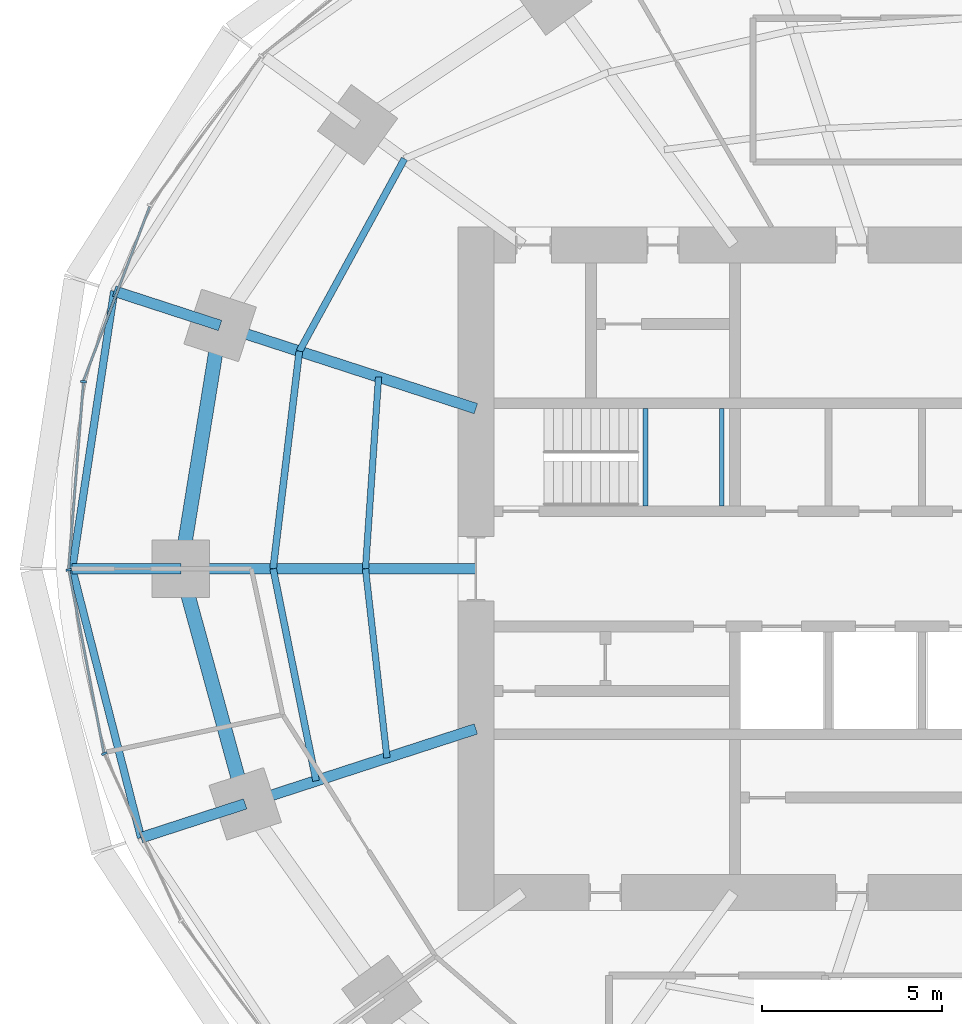
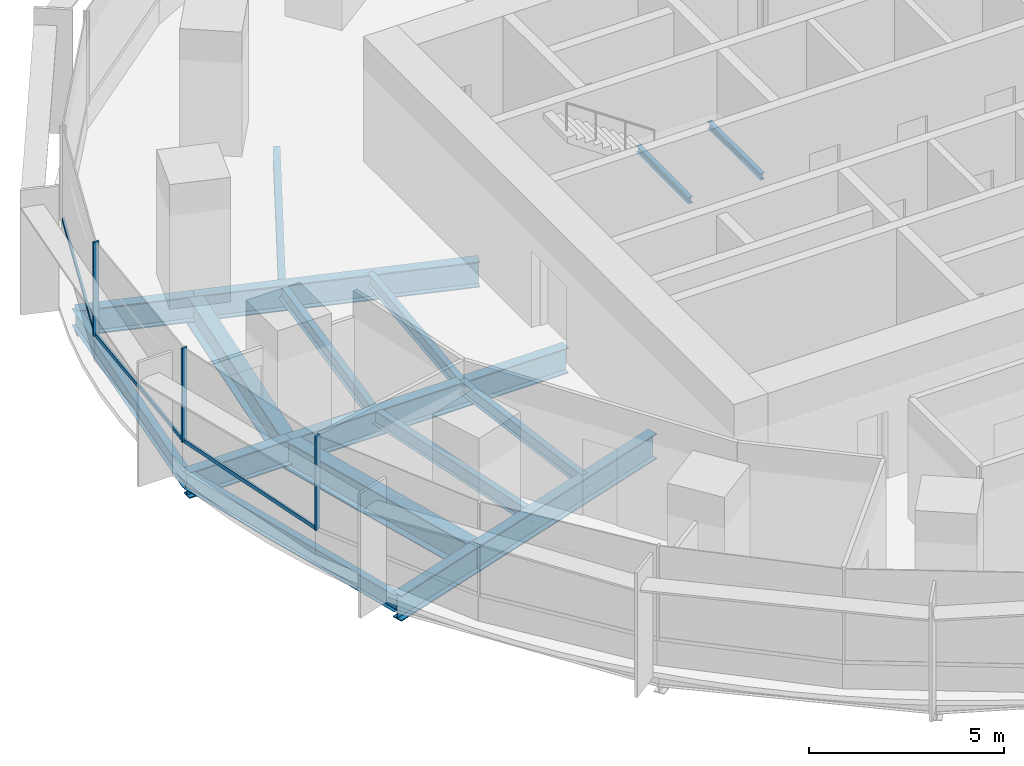
# One storey, part 4 of 14: 17 beams, 6 members, 2 elements without a shape of their own.
"""IFC4 building model written with IfcOpenShell, lengths in metres."""

from ifc_helpers import new_model, si_unit, direction, frame, origin, origin_2d, place, context, subcontext, project, spatial, rectangle, i_section, extrude, material, material_profile, profile_set, type_object, element, aggregate, save


model = new_model("IFC4")

# Units and contexts
model_context = context("Model", 3, precision=1e-05, world=origin(), true_north=direction((0.0, 1.0)))
body_context = subcontext(model_context, "Body", "Model", "MODEL_VIEW")
ifc_project = project(units=[si_unit("LENGTHUNIT", "METRE"), si_unit("AREAUNIT", "SQUARE_METRE"), si_unit("VOLUMEUNIT", "CUBIC_METRE"), si_unit("PLANEANGLEUNIT", "RADIAN"), si_unit("MASSUNIT", "GRAM", prefix="KILO")], contexts=[model_context])

# Site, building, storey
site_placement = place(None, origin())
site = spatial("IfcSite", under=ifc_project, at=site_placement, CompositionType="ELEMENT")
building_placement = place(site_placement, origin())
building = spatial("IfcBuilding", under=site, at=building_placement, Name="Marramba Exchange Tower", CompositionType="ELEMENT")
storey_placement = place(building_placement, frame((0.0, 0.0, 104.10009765625)))
storey = spatial("IfcBuildingStorey", under=building, at=storey_placement, Name="L24", CompositionType="ELEMENT", Elevation=104.10009765625)

# Beams
ifc_material_1 = material(Name="Steel AS/NZS 3679.2 grade 300", Category="steel")
ifc_material_profile_1 = material_profile(ifc_material_1, i_section(OverallWidth=0.300048828125, OverallDepth=0.800048828125, WebThickness=0.013916015625, FlangeThickness=0.031982421875, at=origin_2d()), Name="800WB192")
ifc_profile_set_1 = profile_set([ifc_material_profile_1], Name="Steel AS/NZS 3679.2 grade 300")
beam_type_1 = type_object("IfcBeamType", Name="Cantilever girder 800WB192", PredefinedType="BEAM", material=ifc_profile_set_1)
beam_1_placement = place(storey_placement, frame((-20.808349609375, 6.760986328125, -0.56005859375), z_axis=(-0.95104799017, 0.309043233858, 0.0), x_axis=(-0.309043233858, -0.95104799017, 0.0)))
element("IfcBeam", 1, at=beam_1_placement, inside=storey, type_object=beam_type_1, Name="Cantilever girder L24 TC10", PredefinedType="BEAM", context=body_context, shape_type="SweptSolid", body=[
    extrude(i_section(OverallWidth=0.300048828125, OverallDepth=0.800048828125, WebThickness=0.013916015625, FlangeThickness=0.031982421875, at=origin_2d()), origin(), (0.0, 0.0, 1.0), 3.0927734375),
])
beam_2_placement = place(storey_placement, frame((-21.89990234375, 0.0, -0.56005859375), z_axis=(-1.0, 0.0, 0.0), x_axis=(0.0, -1.0, 0.0)))
element("IfcBeam", 2, at=beam_2_placement, inside=storey, type_object=beam_type_1, Name="Cantilever girder L24 TC11", PredefinedType="BEAM", context=body_context, shape_type="SweptSolid", body=[
    extrude(i_section(OverallWidth=0.300048828125, OverallDepth=0.800048828125, WebThickness=0.013916015625, FlangeThickness=0.031982421875, at=origin_2d()), origin(), (0.0, 0.0, 1.0), 3.01806640625),
])
beam_3_placement = place(storey_placement, frame((-20.109375, -6.533935546875, -0.56005859375), z_axis=(-0.951070617775, -0.308973591113, 0.0), x_axis=(0.308973591113, -0.951070617775, 0.0)))
element("IfcBeam", 3, at=beam_3_placement, inside=storey, type_object=beam_type_1, Name="Cantilever girder L24 TC12", PredefinedType="BEAM", context=body_context, shape_type="SweptSolid", body=[
    extrude(i_section(OverallWidth=0.300048828125, OverallDepth=0.800048828125, WebThickness=0.013916015625, FlangeThickness=0.031982421875, at=origin_2d()), origin(), (0.0, 0.0, 1.0), 3.04296875),
])
ifc_material_2 = material(Name="Steel AS/NZS 3679.1 grade 300", Category="steel")
ifc_material_profile_2 = material_profile(ifc_material_2, i_section(OverallWidth=0.177978515625, OverallDepth=0.406005859375, WebThickness=0.0078125, FlangeThickness=0.0126953125, FilletRadius=0.011474609375, at=origin_2d()), Name="410UB59.7")
ifc_profile_set_2 = profile_set([ifc_material_profile_2], Name="Steel AS/NZS 3679.1 grade 300")
beam_type_2 = type_object("IfcBeamType", Name="Floor joist 410UB59.7", PredefinedType="JOIST", material=ifc_profile_set_2)
beam_4_placement = place(storey_placement, frame((-16.40283203125, 5.32958984375, -0.363037109375), z_axis=(-0.068096259546, -0.99767875563, 0.0), x_axis=(0.99767875563, -0.068096259546, 0.0)))
element("IfcBeam", 4, at=beam_4_placement, inside=storey, type_object=beam_type_2, Name="Joist L24 bay 10 row 1", PredefinedType="JOIST", context=body_context, shape_type="SweptSolid", body=[
    extrude(i_section(OverallWidth=0.177978515625, OverallDepth=0.406005859375, WebThickness=0.0078125, FlangeThickness=0.0126953125, FilletRadius=0.011474609375, at=origin_2d()), origin(), (0.0, 0.0, 1.0), 5.342041015625),
])
beam_5_placement = place(storey_placement, frame((-16.7666015625, 0.0, -0.363037109375), z_axis=(0.112888968594, -0.993607609054, 0.0), x_axis=(0.993607609054, 0.112888968594, 0.0)))
element("IfcBeam", 5, at=beam_5_placement, inside=storey, type_object=beam_type_2, Name="Joist L24 bay 11 row 1", PredefinedType="JOIST", context=body_context, shape_type="SweptSolid", body=[
    extrude(i_section(OverallWidth=0.177978515625, OverallDepth=0.406005859375, WebThickness=0.0078125, FlangeThickness=0.0126953125, FilletRadius=0.011474609375, at=origin_2d()), origin(), (0.0, 0.0, 1.0), 5.28759765625),
])
ifc_material_profile_3 = material_profile(ifc_material_2, i_section(OverallWidth=0.18994140625, OverallDepth=0.4541015625, WebThickness=0.008544921875, FlangeThickness=0.0126953125, FilletRadius=0.011474609375, at=origin_2d()), Name="460UB67.1")
ifc_profile_set_3 = profile_set([ifc_material_profile_3], Name="Steel AS/NZS 3679.1 grade 300")
beam_type_3 = type_object("IfcBeamType", Name="Floor joist 460UB67.1", PredefinedType="JOIST", material=ifc_profile_set_3)
beam_6_placement = place(storey_placement, frame((-15.682373046875, 11.393798828125, -0.38720703125), z_axis=(-0.479584443791, -0.877495732909, 0.0), x_axis=(0.877495732909, -0.479584443791, 0.0)))
element("IfcBeam", 6, at=beam_6_placement, inside=storey, type_object=beam_type_3, Name="Joist L24 bay 09 row 2", PredefinedType="JOIST", context=body_context, shape_type="SweptSolid", body=[
    extrude(i_section(OverallWidth=0.18994140625, OverallDepth=0.4541015625, WebThickness=0.008544921875, FlangeThickness=0.0126953125, FilletRadius=0.011474609375, at=origin_2d()), origin(), (0.0, 0.0, 1.0), 6.094970703125),
])
beam_7_placement = place(storey_placement, frame((-18.60546875, 6.04541015625, -0.38720703125), z_axis=(-0.119523078538, -0.992831422597, 0.0), x_axis=(0.992831422597, -0.119523078538, 0.0)))
element("IfcBeam", 7, at=beam_7_placement, inside=storey, type_object=beam_type_3, Name="Joist L24 bay 10 row 2", PredefinedType="JOIST", context=body_context, shape_type="SweptSolid", body=[
    extrude(i_section(OverallWidth=0.18994140625, OverallDepth=0.4541015625, WebThickness=0.008544921875, FlangeThickness=0.0126953125, FilletRadius=0.011474609375, at=origin_2d()), origin(), (0.0, 0.0, 1.0), 6.089111328125),
])
beam_8_placement = place(storey_placement, frame((-19.333251953125, 0.0, -0.38720703125), z_axis=(0.198489047047, -0.980103105904, 0.0), x_axis=(0.980103105904, 0.198489047047, 0.0)))
element("IfcBeam", 8, at=beam_8_placement, inside=storey, type_object=beam_type_3, Name="Joist L24 bay 11 row 2", PredefinedType="JOIST", context=body_context, shape_type="SweptSolid", body=[
    extrude(i_section(OverallWidth=0.18994140625, OverallDepth=0.4541015625, WebThickness=0.008544921875, FlangeThickness=0.0126953125, FilletRadius=0.011474609375, at=origin_2d()), origin(), (0.0, 0.0, 1.0), 6.013427734375),
])

# Curtain wall, member
ifc_material_3 = material(Name="Aluminium framing, bronze anodised", Category="aluminium")
curtain_wall_type = type_object("IfcCurtainWallType", Name="Office ribbon curtain wall", PredefinedType="USERDEFINED", material=ifc_material_3)
curtain_wall_1_placement = place(storey_placement, origin())
curtain_wall_1 = element("IfcCurtainWall", 9, at=curtain_wall_1_placement, inside=storey, type_object=curtain_wall_type, Name="Curtain wall CW4 L24 F11-F15", ObjectType="RIBBON CURTAIN WALL", PredefinedType="USERDEFINED")
ifc_material_4 = material(Name="Aluminium mullion, bronze anodised", Category="aluminium")
ifc_material_profile_4 = material_profile(ifc_material_4, rectangle(XDim=0.159912109375, YDim=0.06005859375, at=origin_2d()), Name="CW4 mullion 60x160")
ifc_profile_set_4 = profile_set([ifc_material_profile_4], Name="Aluminium mullion, bronze anodised")
member_type_1 = type_object("IfcMemberType", Name="Office ribbon curtain wall mullion", PredefinedType="MULLION", material=ifc_profile_set_4)
member_1_placement = place(storey_placement, frame((-24.603515625, 5.19921875, 0.7998046875), z_axis=(0.0, 0.0, 1.0), x_axis=(0.996838079455, -0.079459696383, 0.0)))
member_1 = element("IfcMember", 10, at=member_1_placement, type_object=member_type_1, Name="CW4 mullion 1", PredefinedType="MULLION", context=body_context, shape_type="SweptSolid", body=[
    extrude(rectangle(XDim=0.159912109375, YDim=0.06005859375, at=origin_2d()), origin(), (0.0, 0.0, 1.0), 2.940185546875),
])

# Curtain wall, members
curtain_wall_2_placement = place(storey_placement, origin())
curtain_wall_2 = element("IfcCurtainWall", 11, at=curtain_wall_2_placement, inside=storey, type_object=curtain_wall_type, Name="Curtain wall CW4 L24 F16-F20", ObjectType="RIBBON CURTAIN WALL", PredefinedType="USERDEFINED")
member_2_placement = place(storey_placement, frame((-25.012451171875, -0.029541015625, 0.7998046875), z_axis=(0.0, 0.0, 1.0), x_axis=(0.982125509078, 0.18822721487, 0.0)))
member_2 = element("IfcMember", 12, at=member_2_placement, type_object=member_type_1, Name="CW4 mullion 1", PredefinedType="MULLION", context=body_context, shape_type="SweptSolid", body=[
    extrude(rectangle(XDim=0.159912109375, YDim=0.06005859375, at=origin_2d()), origin(), (0.0, 0.0, 1.0), 2.940185546875),
])
member_3_placement = place(storey_placement, frame((-24.026123046875, -5.136962890625, 0.7998046875), z_axis=(0.0, 0.0, 1.0), x_axis=(0.909026713177, 0.416737848929, 0.0)))
member_3 = element("IfcMember", 13, at=member_3_placement, type_object=member_type_1, Name="CW4 mullion 1", PredefinedType="MULLION", context=body_context, shape_type="SweptSolid", body=[
    extrude(rectangle(XDim=0.159912109375, YDim=0.06005859375, at=origin_2d()), origin(), (0.0, 0.0, 1.0), 2.940185546875),
])

# Member
ifc_material_5 = material(Name="Aluminium transom, bronze anodised", Category="aluminium")
ifc_material_profile_5 = material_profile(ifc_material_5, rectangle(XDim=0.06005859375, YDim=0.1201171875, at=origin_2d()), Name="CW4 transom 60x120")
ifc_profile_set_5 = profile_set([ifc_material_profile_5], Name="Aluminium transom, bronze anodised")
member_type_2 = type_object("IfcMemberType", Name="Office ribbon curtain wall transom", PredefinedType="USERDEFINED", material=ifc_profile_set_5)
member_4_placement = place(storey_placement, frame((-22.763916015625, 10.069580078125, 0.829833984375), z_axis=(-0.354851822252, -0.934922555212, 0.0), x_axis=(0.934922555212, -0.354851822252, 0.0)))
member_4 = element("IfcMember", 14, at=member_4_placement, type_object=member_type_2, Name="CW4 sill transom", ObjectType="TRANSOM", PredefinedType="USERDEFINED", context=body_context, shape_type="SweptSolid", body=[
    extrude(rectangle(XDim=0.06005859375, YDim=0.1201171875, at=origin_2d()), origin(), (0.0, 0.0, 1.0), 5.17724609375),
])

member_5_placement = place(storey_placement, frame((-24.60595703125, 5.16943359375, 0.829833984375), z_axis=(-0.07946828762, -0.996837394595, 0.0), x_axis=(0.996837394595, -0.07946828762, 0.0)))
member_5 = element("IfcMember", 15, at=member_5_placement, type_object=member_type_2, Name="CW4 sill transom", ObjectType="TRANSOM", PredefinedType="USERDEFINED", context=body_context, shape_type="SweptSolid", body=[
    extrude(rectangle(XDim=0.06005859375, YDim=0.1201171875, at=origin_2d()), origin(), (0.0, 0.0, 1.0), 5.185791015625),
])

aggregate(curtain_wall_1, [member_4, member_1, member_5])

member_6_placement = place(storey_placement, frame((-25.006591796875, -0.058837890625, 0.829833984375), z_axis=(0.188185293992, -0.982133542409, 0.0), x_axis=(0.982133542409, 0.188185293992, 0.0)))
member_6 = element("IfcMember", 16, at=member_6_placement, type_object=member_type_2, Name="CW4 sill transom", ObjectType="TRANSOM", PredefinedType="USERDEFINED", context=body_context, shape_type="SweptSolid", body=[
    extrude(rectangle(XDim=0.06005859375, YDim=0.1201171875, at=origin_2d()), origin(), (0.0, 0.0, 1.0), 5.142578125),
])

aggregate(curtain_wall_2, [member_2, member_6, member_3])

# Beams
ifc_material_profile_6 = material_profile(ifc_material_1, i_section(OverallWidth=0.300048828125, OverallDepth=0.800048828125, WebThickness=0.013916015625, FlangeThickness=0.031982421875, at=origin_2d()), Name="800WB192")
ifc_profile_set_6 = profile_set([ifc_material_profile_6], Name="Steel AS/NZS 3679.2 grade 300")
beam_type_4 = type_object("IfcBeamType", Name="Radial girder 800WB192", PredefinedType="BEAM", material=ifc_profile_set_6)
beam_9_placement = place(storey_placement, frame((-13.699951171875, 4.451416015625, -0.56005859375), z_axis=(-0.951059990189, 0.309006302624, 0.0), x_axis=(-0.309006302624, -0.951059990189, 0.0)))
element("IfcBeam", 17, at=beam_9_placement, inside=storey, type_object=beam_type_4, Name="Radial girder L24 TC10", PredefinedType="BEAM", context=body_context, shape_type="SweptSolid", body=[
    extrude(i_section(OverallWidth=0.300048828125, OverallDepth=0.800048828125, WebThickness=0.013916015625, FlangeThickness=0.031982421875, at=origin_2d()), origin(), (0.0, 0.0, 1.0), 7.47412109375),
])
beam_10_placement = place(storey_placement, frame((-13.699951171875, 0.0, -0.56005859375), z_axis=(-1.0, 0.0, 0.0), x_axis=(0.0, -1.0, 0.0)))
element("IfcBeam", 18, at=beam_10_placement, inside=storey, type_object=beam_type_4, Name="Radial girder L24 TC11", PredefinedType="BEAM", context=body_context, shape_type="SweptSolid", body=[
    extrude(i_section(OverallWidth=0.300048828125, OverallDepth=0.800048828125, WebThickness=0.013916015625, FlangeThickness=0.031982421875, at=origin_2d()), origin(), (0.0, 0.0, 1.0), 8.199951171875),
])
beam_11_placement = place(storey_placement, frame((-13.699951171875, -4.451416015625, -0.56005859375), z_axis=(-0.951057759669, -0.309013167637, 0.0), x_axis=(0.309013167637, -0.951057759669, 0.0)))
element("IfcBeam", 19, at=beam_11_placement, inside=storey, type_object=beam_type_4, Name="Radial girder L24 TC12", PredefinedType="BEAM", context=body_context, shape_type="SweptSolid", body=[
    extrude(i_section(OverallWidth=0.300048828125, OverallDepth=0.800048828125, WebThickness=0.013916015625, FlangeThickness=0.031982421875, at=origin_2d()), origin(), (0.0, 0.0, 1.0), 6.7392578125),
])
ifc_material_profile_7 = material_profile(ifc_material_1, i_section(OverallWidth=0.39990234375, OverallDepth=0.89990234375, WebThickness=0.01611328125, FlangeThickness=0.031982421875, at=origin_2d()), Name="900WB282")
ifc_profile_set_7 = profile_set([ifc_material_profile_7], Name="Steel AS/NZS 3679.2 grade 300")
beam_type_5 = type_object("IfcBeamType", Name="Ring beam 900WB282", PredefinedType="SPANDREL", material=ifc_profile_set_7)
beam_12_placement = place(storey_placement, frame((-20.808349609375, 6.760986328125, -0.610107421875), z_axis=(-0.159384865399, -0.987216523708, 0.0), x_axis=(0.987216523708, -0.159384865399, 0.0)))
element("IfcBeam", 20, at=beam_12_placement, inside=storey, type_object=beam_type_5, Name="Ring beam L24 TC10-TC11", PredefinedType="SPANDREL", context=body_context, shape_type="SweptSolid", body=[
    extrude(i_section(OverallWidth=0.39990234375, OverallDepth=0.89990234375, WebThickness=0.01611328125, FlangeThickness=0.031982421875, at=origin_2d()), origin(), (0.0, 0.0, 1.0), 6.8486328125),
])
beam_13_placement = place(storey_placement, frame((-21.89990234375, 0.0, -0.610107421875), z_axis=(0.264291166956, -0.964442937176, 0.0), x_axis=(0.964442937176, 0.264291166956, 0.0)))
element("IfcBeam", 21, at=beam_13_placement, inside=storey, type_object=beam_type_5, Name="Ring beam L24 TC11-TC12", PredefinedType="SPANDREL", context=body_context, shape_type="SweptSolid", body=[
    extrude(i_section(OverallWidth=0.39990234375, OverallDepth=0.89990234375, WebThickness=0.01611328125, FlangeThickness=0.031982421875, at=origin_2d()), origin(), (0.0, 0.0, 1.0), 6.77490234375),
])
ifc_material_profile_8 = material_profile(ifc_material_2, i_section(OverallWidth=0.208984375, OverallDepth=0.528076171875, WebThickness=0.009521484375, FlangeThickness=0.01318359375, FilletRadius=0.013916015625, at=origin_2d()), Name="530UB82.0")
ifc_profile_set_8 = profile_set([ifc_material_profile_8], Name="Steel AS/NZS 3679.1 grade 300")
beam_type_6 = type_object("IfcBeamType", Name="Slab edge beam 530UB82.0", PredefinedType="SPANDREL", material=ifc_profile_set_8)
beam_14_placement = place(storey_placement, frame((-23.749755859375, 7.716796875, -0.424072265625), z_axis=(-0.149680281727, -0.988734450326, 0.0), x_axis=(0.988734450326, -0.149680281727, 0.0)))
element("IfcBeam", 22, at=beam_14_placement, inside=storey, type_object=beam_type_6, Name="Slab edge beam L24 TC10-TC11", PredefinedType="SPANDREL", context=body_context, shape_type="SweptSolid", body=[
    extrude(i_section(OverallWidth=0.208984375, OverallDepth=0.528076171875, WebThickness=0.009521484375, FlangeThickness=0.01318359375, FilletRadius=0.013916015625, at=origin_2d()), origin(), (0.0, 0.0, 1.0), 7.8046875),
])
beam_15_placement = place(storey_placement, frame((-24.91796875, 0.0, -0.424072265625), z_axis=(0.248145427917, -0.968722791413, 0.0), x_axis=(0.968722791413, 0.248145427917, 0.0)))
element("IfcBeam", 23, at=beam_15_placement, inside=storey, type_object=beam_type_6, Name="Slab edge beam L24 TC11-TC12", PredefinedType="SPANDREL", context=body_context, shape_type="SweptSolid", body=[
    extrude(i_section(OverallWidth=0.208984375, OverallDepth=0.528076171875, WebThickness=0.009521484375, FlangeThickness=0.01318359375, FilletRadius=0.013916015625, at=origin_2d()), origin(), (0.0, 0.0, 1.0), 7.71533203125),
])
ifc_material_profile_9 = material_profile(ifc_material_2, i_section(OverallWidth=0.133056640625, OverallDepth=0.202880859375, WebThickness=0.005859375, FlangeThickness=0.0078125, FilletRadius=0.0087890625, at=origin_2d()), Name="200UB25.4")
ifc_profile_set_9 = profile_set([ifc_material_profile_9], Name="Steel AS/NZS 3679.1 grade 300")
beam_type_7 = type_object("IfcBeamType", Name="Stair landing beam 200UB25.4", PredefinedType="BEAM", material=ifc_profile_set_9)
for number, where, z_axis, x_axis, name in (
    (24, (-8.9833984375, 1.75, 1.6484375), (0.0, 1.0, 0.0), (-1.0, 0.0, 0.0), "Stair landing beam SLB1 ST1 L24 1"),
    (25, (-6.866455078125, 1.75, 1.6484375), (0.0, 1.0, 0.0), (-1.0, 0.0, 0.0), "Stair landing beam SLB1 ST1 L24 2"),
):
    element("IfcBeam", number, at=place(storey_placement, frame(where, z_axis=z_axis, x_axis=x_axis)), inside=storey, type_object=beam_type_7, Name=name, PredefinedType="BEAM", context=body_context, shape_type="SweptSolid", body=[
        extrude(i_section(OverallWidth=0.133056640625, OverallDepth=0.202880859375, WebThickness=0.005859375, FlangeThickness=0.0078125, FilletRadius=0.0087890625, at=origin_2d()), origin(), (0.0, 0.0, 1.0), 2.699951171875),
    ])

save(model, "model.ifc")
